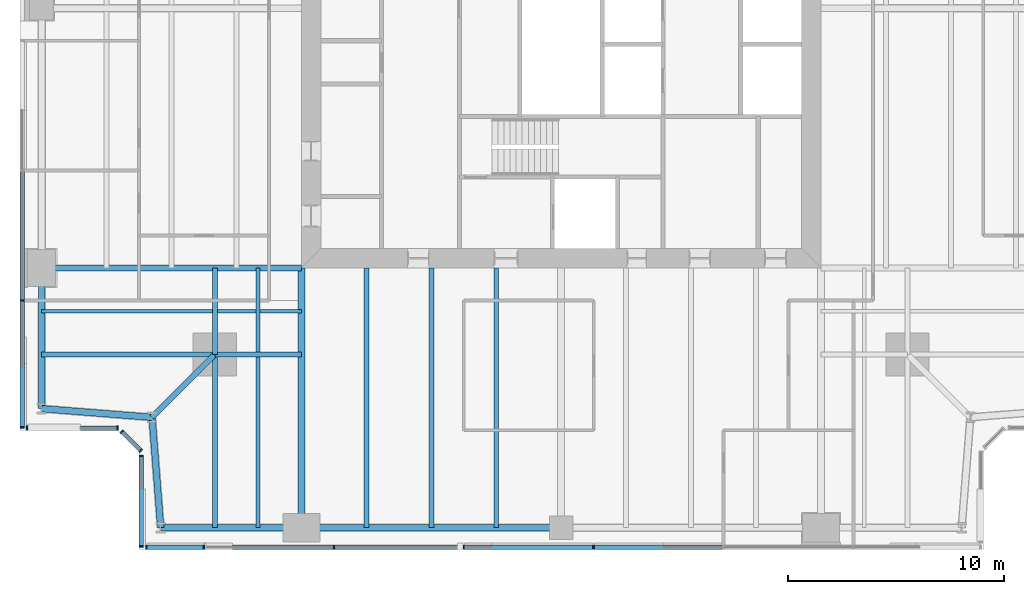
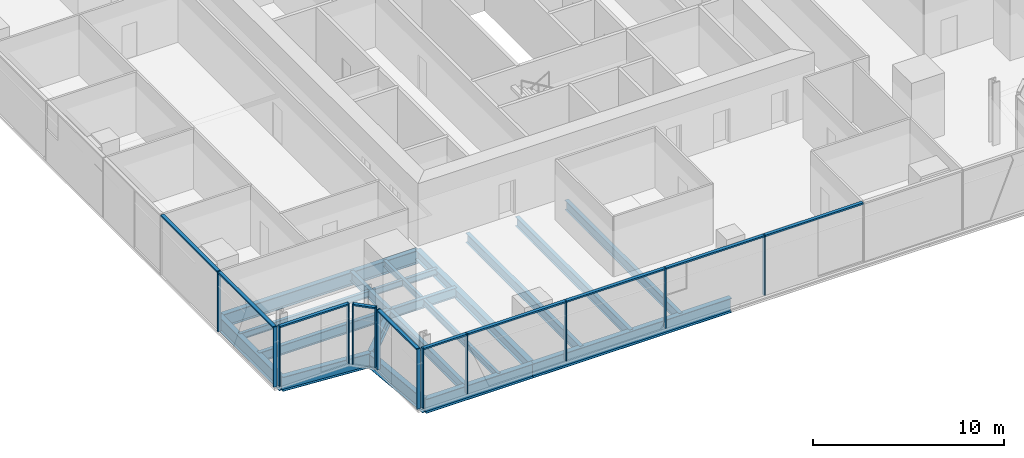
# One storey, part 2 of 16: 23 members, 20 beams, 5 elements without a shape of their own.
"""IFC4 building model written with IfcOpenShell, lengths in metres."""

from ifc_helpers import new_model, si_unit, direction, frame, origin, origin_2d, place, context, subcontext, project, spatial, rectangle, i_section, extrude, material, material_profile, profile_set, type_object, element, aggregate, save


model = new_model("IFC4")

# Units and contexts
model_context = context("Model", 3, precision=1e-05, world=origin(), true_north=direction((0.0, 1.0)))
body_context = subcontext(model_context, "Body", "Model", "MODEL_VIEW")
ifc_project = project(units=[si_unit("LENGTHUNIT", "METRE"), si_unit("AREAUNIT", "SQUARE_METRE"), si_unit("VOLUMEUNIT", "CUBIC_METRE"), si_unit("PLANEANGLEUNIT", "RADIAN"), si_unit("MASSUNIT", "GRAM", prefix="KILO")], contexts=[model_context])

# Site, building, storey
site_placement = place(None, origin())
site = spatial("IfcSite", under=ifc_project, at=site_placement, CompositionType="ELEMENT")
building_placement = place(site_placement, origin())
building = spatial("IfcBuilding", under=site, at=building_placement, Name="Fenwick Lantern Interchange", CompositionType="ELEMENT")
storey_placement = place(building_placement, frame((0.0, 0.0, 213.800048828125)))
storey = spatial("IfcBuildingStorey", under=building, at=storey_placement, Name="L50", CompositionType="ELEMENT", Elevation=213.800048828125)

# Beams
ifc_material_1 = material(Name="Steel ASTM A992 Grade 50", Category="steel")
ifc_material_profile_1 = material_profile(ifc_material_1, i_section(OverallWidth=0.3046875, OverallDepth=0.911865234375, WebThickness=0.015869140625, FlangeThickness=0.02392578125, at=origin_2d()), Name="W36X150")
ifc_profile_set_1 = profile_set([ifc_material_profile_1], Name="Steel ASTM A992 Grade 50")
beam_type_1 = type_object("IfcBeamType", Name="EDGE BEAM W36X150", PredefinedType="SPANDREL", material=ifc_profile_set_1)
beam_1_placement = place(storey_placement, frame((6.5, 1.0, -0.60595703125), z_axis=(1.0, 0.0, 0.0), x_axis=(0.0, 1.0, 0.0)))
element("IfcBeam", 1, at=beam_1_placement, inside=storey, type_object=beam_type_1, Name="L50/FR/S/EB1", PredefinedType="SPANDREL", context=body_context, shape_type="SweptSolid", body=[
    extrude(i_section(OverallWidth=0.3046875, OverallDepth=0.911865234375, WebThickness=0.015869140625, FlangeThickness=0.02392578125, at=origin_2d()), origin(), (0.0, 0.0, 1.0), 6.5),
])
beam_2_placement = place(storey_placement, frame((13.0, 1.0, -0.60595703125), z_axis=(1.0, 0.0, 0.0), x_axis=(0.0, 1.0, 0.0)))
element("IfcBeam", 2, at=beam_2_placement, inside=storey, type_object=beam_type_1, Name="L50/FR/S/EB2", PredefinedType="SPANDREL", context=body_context, shape_type="SweptSolid", body=[
    extrude(i_section(OverallWidth=0.3046875, OverallDepth=0.911865234375, WebThickness=0.015869140625, FlangeThickness=0.02392578125, at=origin_2d()), origin(), (0.0, 0.0, 1.0), 12.0),
])
beam_3_placement = place(storey_placement, frame((1.0, 13.0, -0.60595703125), z_axis=(0.0, -1.0, 0.0), x_axis=(1.0, 0.0, 0.0)))
element("IfcBeam", 3, at=beam_3_placement, inside=storey, type_object=beam_type_1, Name="L50/FR/W/EB4", PredefinedType="SPANDREL", context=body_context, shape_type="SweptSolid", body=[
    extrude(i_section(OverallWidth=0.3046875, OverallDepth=0.911865234375, WebThickness=0.015869140625, FlangeThickness=0.02392578125, at=origin_2d()), origin(), (0.0, 0.0, 1.0), 6.5),
])
for number, where, z_axis, x_axis, name in (
    (4, (1.0, 6.5, -0.60595703125), (0.99693998236, -0.078170784639, 0.0), (0.078170784639, 0.99693998236, 0.0), "L50/FR/W/EBR1"),
    (5, (6.10009765625, 6.10009765625, -0.60595703125), (0.078170784639, -0.99693998236, 0.0), (0.99693998236, 0.078170784639, 0.0), "L50/FR/W/EBR2"),
):
    element("IfcBeam", number, at=place(storey_placement, frame(where, z_axis=z_axis, x_axis=x_axis)), inside=storey, type_object=beam_type_1, Name=name, PredefinedType="SPANDREL", context=body_context, shape_type="SweptSolid", body=[
        extrude(i_section(OverallWidth=0.3046875, OverallDepth=0.911865234375, WebThickness=0.015869140625, FlangeThickness=0.02392578125, at=origin_2d()), origin(), (0.0, 0.0, 1.0), 5.11572265625),
    ])
ifc_material_profile_2 = material_profile(ifc_material_1, i_section(OverallWidth=0.22900390625, OverallDepth=0.612060546875, WebThickness=0.011962890625, FlangeThickness=0.01953125, at=origin_2d()), Name="W24X84")
ifc_profile_set_2 = profile_set([ifc_material_profile_2], Name="Steel ASTM A992 Grade 50")
beam_type_2 = type_object("IfcBeamType", Name="FLOOR BEAM W24X84", PredefinedType="BEAM", material=ifc_profile_set_2)
for number, where, z_axis, x_axis, name in (
    (6, (16.0, 1.0, -0.4560546875), (0.0, 1.0, 0.0), (-1.0, 0.0, 0.0), "L50/FR/S/R02"),
    (7, (19.0, 1.0, -0.4560546875), (0.0, 1.0, 0.0), (-1.0, 0.0, 0.0), "L50/FR/S/R03"),
    (8, (22.0, 1.0, -0.4560546875), (0.0, 1.0, 0.0), (-1.0, 0.0, 0.0), "L50/FR/S/R04"),
):
    element("IfcBeam", number, at=place(storey_placement, frame(where, z_axis=z_axis, x_axis=x_axis)), inside=storey, type_object=beam_type_2, Name=name, PredefinedType="BEAM", context=body_context, shape_type="SweptSolid", body=[
        extrude(i_section(OverallWidth=0.22900390625, OverallDepth=0.612060546875, WebThickness=0.011962890625, FlangeThickness=0.01953125, at=origin_2d()), origin(), (0.0, 0.0, 1.0), 12.0),
    ])
ifc_material_profile_3 = material_profile(ifc_material_1, i_section(OverallWidth=0.177734375, OverallDepth=0.406494140625, WebThickness=0.0078125, FlangeThickness=0.012939453125, at=origin_2d()), Name="W16X40")
ifc_profile_set_3 = profile_set([ifc_material_profile_3], Name="Steel ASTM A992 Grade 50")
beam_type_3 = type_object("IfcBeamType", Name="INFILL BEAM W16X40", PredefinedType="JOIST", material=ifc_profile_set_3)
beam_4_placement = place(storey_placement, frame((11.0, 1.0, -0.353271484375), z_axis=(0.0, 1.0, 0.0), x_axis=(-1.0, 0.0, 0.0)))
element("IfcBeam", 9, at=beam_4_placement, inside=storey, type_object=beam_type_3, Name="L50/FR/S/J1", PredefinedType="JOIST", context=body_context, shape_type="SweptSolid", body=[
    extrude(i_section(OverallWidth=0.177734375, OverallDepth=0.406494140625, WebThickness=0.0078125, FlangeThickness=0.012939453125, at=origin_2d()), origin(), (0.0, 0.0, 1.0), 7.885498046875),
])
beam_5_placement = place(storey_placement, frame((11.0, 9.114501953125, -0.353271484375), z_axis=(0.0, 1.0, 0.0), x_axis=(-1.0, 0.0, 0.0)))
element("IfcBeam", 10, at=beam_5_placement, inside=storey, type_object=beam_type_3, Name="L50/FR/S/J2", PredefinedType="JOIST", context=body_context, shape_type="SweptSolid", body=[
    extrude(i_section(OverallWidth=0.177734375, OverallDepth=0.406494140625, WebThickness=0.0078125, FlangeThickness=0.012939453125, at=origin_2d()), origin(), (0.0, 0.0, 1.0), 3.885498046875),
])
beam_6_placement = place(storey_placement, frame((1.0, 11.0, -0.353271484375), z_axis=(1.0, 0.0, 0.0), x_axis=(0.0, 1.0, 0.0)))
element("IfcBeam", 11, at=beam_6_placement, inside=storey, type_object=beam_type_3, Name="L50/FR/S/J3", PredefinedType="JOIST", context=body_context, shape_type="SweptSolid", body=[
    extrude(i_section(OverallWidth=0.177734375, OverallDepth=0.406494140625, WebThickness=0.0078125, FlangeThickness=0.012939453125, at=origin_2d()), origin(), (0.0, 0.0, 1.0), 7.885498046875),
])
beam_7_placement = place(storey_placement, frame((9.114501953125, 11.0, -0.353271484375), z_axis=(1.0, 0.0, 0.0), x_axis=(0.0, 1.0, 0.0)))
element("IfcBeam", 12, at=beam_7_placement, inside=storey, type_object=beam_type_3, Name="L50/FR/S/J4", PredefinedType="JOIST", context=body_context, shape_type="SweptSolid", body=[
    extrude(i_section(OverallWidth=0.177734375, OverallDepth=0.406494140625, WebThickness=0.0078125, FlangeThickness=0.012939453125, at=origin_2d()), origin(), (0.0, 0.0, 1.0), 1.796630859375),
])
beam_8_placement = place(storey_placement, frame((11.0888671875, 11.0, -0.353271484375), z_axis=(1.0, 0.0, 0.0), x_axis=(0.0, 1.0, 0.0)))
element("IfcBeam", 13, at=beam_8_placement, inside=storey, type_object=beam_type_3, Name="L50/FR/S/J5", PredefinedType="JOIST", context=body_context, shape_type="SweptSolid", body=[
    extrude(i_section(OverallWidth=0.177734375, OverallDepth=0.406494140625, WebThickness=0.0078125, FlangeThickness=0.012939453125, at=origin_2d()), origin(), (0.0, 0.0, 1.0), 1.9111328125),
])
ifc_material_profile_4 = material_profile(ifc_material_1, i_section(OverallWidth=0.22900390625, OverallDepth=0.612060546875, WebThickness=0.011962890625, FlangeThickness=0.01953125, at=origin_2d()), Name="W24X84")
ifc_profile_set_4 = profile_set([ifc_material_profile_4], Name="Steel ASTM A992 Grade 50")
beam_type_4 = type_object("IfcBeamType", Name="MEGA COLUMN BEAM W24X84", PredefinedType="BEAM", material=ifc_profile_set_4)
for number, where, z_axis, x_axis, name in (
    (14, (9.0, 9.0, -0.4560546875), (0.0, -1.0, 0.0), (1.0, 0.0, 0.0), "L50/FR/S/MB1"),
    (15, (9.0, 9.0, -0.4560546875), (-1.0, 0.0, 0.0), (0.0, -1.0, 0.0), "L50/FR/S/MB2"),
):
    element("IfcBeam", number, at=place(storey_placement, frame(where, z_axis=z_axis, x_axis=x_axis)), inside=storey, type_object=beam_type_4, Name=name, PredefinedType="BEAM", context=body_context, shape_type="SweptSolid", body=[
        extrude(i_section(OverallWidth=0.22900390625, OverallDepth=0.612060546875, WebThickness=0.011962890625, FlangeThickness=0.01953125, at=origin_2d()), origin(), (0.0, 0.0, 1.0), 8.0),
    ])
for number, where, z_axis, x_axis, name in (
    (16, (9.0, 9.0, -0.4560546875), (1.0, 0.0, 0.0), (0.0, 1.0, 0.0), "L50/FR/S/MB3"),
    (17, (9.0, 9.0, -0.4560546875), (0.0, 1.0, 0.0), (-1.0, 0.0, 0.0), "L50/FR/S/MB4"),
):
    element("IfcBeam", number, at=place(storey_placement, frame(where, z_axis=z_axis, x_axis=x_axis)), inside=storey, type_object=beam_type_4, Name=name, PredefinedType="BEAM", context=body_context, shape_type="SweptSolid", body=[
        extrude(i_section(OverallWidth=0.22900390625, OverallDepth=0.612060546875, WebThickness=0.011962890625, FlangeThickness=0.01953125, at=origin_2d()), origin(), (0.0, 0.0, 1.0), 4.0),
    ])
ifc_material_profile_5 = material_profile(ifc_material_1, i_section(OverallWidth=0.32763671875, OverallDepth=0.622314453125, WebThickness=0.015380859375, FlangeThickness=0.0244140625, at=origin_2d()), Name="W24X131")
ifc_profile_set_5 = profile_set([ifc_material_profile_5], Name="Steel ASTM A992 Grade 50")
beam_type_5 = type_object("IfcBeamType", Name="MOMENT-CONNECTED GIRDER W24X131", PredefinedType="BEAM", material=ifc_profile_set_5)
beam_9_placement = place(storey_placement, frame((13.0, 1.0, -0.461181640625), z_axis=(0.0, 1.0, 0.0), x_axis=(-1.0, 0.0, 0.0)))
element("IfcBeam", 18, at=beam_9_placement, inside=storey, type_object=beam_type_5, Name="L50/FR/S/R01", PredefinedType="BEAM", context=body_context, shape_type="SweptSolid", body=[
    extrude(i_section(OverallWidth=0.32763671875, OverallDepth=0.622314453125, WebThickness=0.015380859375, FlangeThickness=0.0244140625, at=origin_2d()), origin(), (0.0, 0.0, 1.0), 12.0),
])
ifc_material_profile_6 = material_profile(ifc_material_1, i_section(OverallWidth=0.2919921875, OverallDepth=0.845703125, WebThickness=0.015380859375, FlangeThickness=0.0244140625, at=origin_2d()), Name="W33X141")
ifc_profile_set_6 = profile_set([ifc_material_profile_6], Name="Steel ASTM A992 Grade 50")
beam_type_6 = type_object("IfcBeamType", Name="MOMENT-CONNECTED GIRDER W33X141", PredefinedType="BEAM", material=ifc_profile_set_6)
beam_10_placement = place(storey_placement, frame((1.0, 13.0, -0.572998046875), z_axis=(1.0, 0.0, 0.0), x_axis=(0.0, 1.0, 0.0)))
element("IfcBeam", 19, at=beam_10_placement, inside=storey, type_object=beam_type_6, Name="L50/FR/W/R03", PredefinedType="BEAM", context=body_context, shape_type="SweptSolid", body=[
    extrude(i_section(OverallWidth=0.2919921875, OverallDepth=0.845703125, WebThickness=0.015380859375, FlangeThickness=0.0244140625, at=origin_2d()), origin(), (0.0, 0.0, 1.0), 12.0),
])
ifc_material_profile_7 = material_profile(ifc_material_1, i_section(OverallWidth=0.2666015625, OverallDepth=0.7568359375, WebThickness=0.013916015625, FlangeThickness=0.019287109375, at=origin_2d()), Name="W30X108")
ifc_profile_set_7 = profile_set([ifc_material_profile_7], Name="Steel ASTM A992 Grade 50")
beam_type_7 = type_object("IfcBeamType", Name="NOTCH BEAM W30X108", PredefinedType="BEAM", material=ifc_profile_set_7)
beam_11_placement = place(storey_placement, frame((9.0, 9.0, -0.528564453125), z_axis=(-0.707106781187, -0.707106781187, 0.0), x_axis=(0.707106781187, -0.707106781187, 0.0)))
element("IfcBeam", 20, at=beam_11_placement, inside=storey, type_object=beam_type_7, Name="L50/FR/S/TG", PredefinedType="BEAM", context=body_context, shape_type="SweptSolid", body=[
    extrude(i_section(OverallWidth=0.2666015625, OverallDepth=0.7568359375, WebThickness=0.013916015625, FlangeThickness=0.019287109375, at=origin_2d()), origin(), (0.0, 0.0, 1.0), 4.10107421875),
])

# Curtain wall, members
ifc_material_2 = material(Name="Aluminium curtain wall frame", Category="aluminium")
curtain_wall_type = type_object("IfcCurtainWallType", Name="OFFICE CURTAIN WALL", PredefinedType="USERDEFINED", material=ifc_material_2)
curtain_wall_1_placement = place(storey_placement, origin())
curtain_wall_1 = element("IfcCurtainWall", 21, at=curtain_wall_1_placement, inside=storey, type_object=curtain_wall_type, Name="Office curtain wall 01", ObjectType="OFFICE CURTAIN WALL", PredefinedType="USERDEFINED")
ifc_material_3 = material(Name="Aluminium extrusion", Category="aluminium")
ifc_material_profile_8 = material_profile(ifc_material_3, rectangle(XDim=0.199951171875, YDim=0.06494140625, at=origin_2d()), Name="OFFICE CURTAIN WALL MULLION 65 X 200")
ifc_profile_set_8 = profile_set([ifc_material_profile_8], Name="Aluminium extrusion")
member_type_1 = type_object("IfcMemberType", Name="OFFICE CURTAIN WALL MULLION 65 X 200", PredefinedType="MULLION", material=ifc_profile_set_8)
member_1_placement = place(storey_placement, frame((5.83251953125, 0.10009765625, 0.0), z_axis=(0.0, 0.0, 1.0), x_axis=(0.0, 1.0, 0.0)))
member_1 = element("IfcMember", 22, at=member_1_placement, type_object=member_type_1, Name="L50/CW/01/M00", PredefinedType="MULLION", context=body_context, shape_type="SweptSolid", body=[
    extrude(rectangle(XDim=0.199951171875, YDim=0.06494140625, at=origin_2d()), origin(), (0.0, 0.0, 1.0), 3.849853515625),
])
member_2_placement = place(storey_placement, frame((8.5, 0.10009765625, 0.0), z_axis=(0.0, 0.0, 1.0), x_axis=(0.0, 1.0, 0.0)))
member_2 = element("IfcMember", 23, at=member_2_placement, type_object=member_type_1, Name="L50/CW/01/M01", PredefinedType="MULLION", context=body_context, shape_type="SweptSolid", body=[
    extrude(rectangle(XDim=0.199951171875, YDim=0.06494140625, at=origin_2d()), origin(), (0.0, 0.0, 1.0), 3.849853515625),
])
member_3_placement = place(storey_placement, frame((14.5, 0.10009765625, 0.0), z_axis=(0.0, 0.0, 1.0), x_axis=(0.0, 1.0, 0.0)))
member_3 = element("IfcMember", 24, at=member_3_placement, type_object=member_type_1, Name="L50/CW/01/M02", PredefinedType="MULLION", context=body_context, shape_type="SweptSolid", body=[
    extrude(rectangle(XDim=0.199951171875, YDim=0.06494140625, at=origin_2d()), origin(), (0.0, 0.0, 1.0), 3.849853515625),
])
member_4_placement = place(storey_placement, frame((20.5, 0.10009765625, 0.0), z_axis=(0.0, 0.0, 1.0), x_axis=(0.0, 1.0, 0.0)))
member_4 = element("IfcMember", 25, at=member_4_placement, type_object=member_type_1, Name="L50/CW/01/M03", PredefinedType="MULLION", context=body_context, shape_type="SweptSolid", body=[
    extrude(rectangle(XDim=0.199951171875, YDim=0.06494140625, at=origin_2d()), origin(), (0.0, 0.0, 1.0), 3.849853515625),
])
member_5_placement = place(storey_placement, frame((26.5, 0.10009765625, 0.0), z_axis=(0.0, 0.0, 1.0), x_axis=(0.0, 1.0, 0.0)))
member_5 = element("IfcMember", 26, at=member_5_placement, type_object=member_type_1, Name="L50/CW/01/M04", PredefinedType="MULLION", context=body_context, shape_type="SweptSolid", body=[
    extrude(rectangle(XDim=0.199951171875, YDim=0.06494140625, at=origin_2d()), origin(), (0.0, 0.0, 1.0), 3.849853515625),
])

curtain_wall_2_placement = place(storey_placement, origin())
curtain_wall_2 = element("IfcCurtainWall", 27, at=curtain_wall_2_placement, inside=storey, type_object=curtain_wall_type, Name="Office curtain wall 13", ObjectType="OFFICE CURTAIN WALL", PredefinedType="USERDEFINED")
member_6_placement = place(storey_placement, frame((0.10009765625, 11.5, 0.0), z_axis=(0.0, 0.0, 1.0), x_axis=(1.0, 0.0, 0.0)))
member_6 = element("IfcMember", 28, at=member_6_placement, type_object=member_type_1, Name="L50/CW/13/M06", PredefinedType="MULLION", context=body_context, shape_type="SweptSolid", body=[
    extrude(rectangle(XDim=0.199951171875, YDim=0.06494140625, at=origin_2d()), origin(), (0.0, 0.0, 1.0), 3.849853515625),
])
member_7_placement = place(storey_placement, frame((0.10009765625, 5.632568359375, 0.0), z_axis=(0.0, 0.0, 1.0), x_axis=(1.0, 0.0, 0.0)))
member_7 = element("IfcMember", 29, at=member_7_placement, type_object=member_type_1, Name="L50/CW/13/M07", PredefinedType="MULLION", context=body_context, shape_type="SweptSolid", body=[
    extrude(rectangle(XDim=0.199951171875, YDim=0.06494140625, at=origin_2d()), origin(), (0.0, 0.0, 1.0), 3.849853515625),
])

curtain_wall_3_placement = place(storey_placement, origin())
curtain_wall_3 = element("IfcCurtainWall", 30, at=curtain_wall_3_placement, inside=storey, type_object=curtain_wall_type, Name="Office curtain wall 14", ObjectType="OFFICE CURTAIN WALL", PredefinedType="USERDEFINED")
member_8_placement = place(storey_placement, frame((0.33251953125, 5.60009765625, 0.0), z_axis=(0.0, 0.0, 1.0), x_axis=(0.0, 1.0, 0.0)))
member_8 = element("IfcMember", 31, at=member_8_placement, type_object=member_type_1, Name="L50/CW/14/M00", PredefinedType="MULLION", context=body_context, shape_type="SweptSolid", body=[
    extrude(rectangle(XDim=0.199951171875, YDim=0.06494140625, at=origin_2d()), origin(), (0.0, 0.0, 1.0), 3.849853515625),
])
member_9_placement = place(storey_placement, frame((4.509033203125, 5.60009765625, 0.0), z_axis=(0.0, 0.0, 1.0), x_axis=(0.0, 1.0, 0.0)))
member_9 = element("IfcMember", 32, at=member_9_placement, type_object=member_type_1, Name="L50/CW/14/M01", PredefinedType="MULLION", context=body_context, shape_type="SweptSolid", body=[
    extrude(rectangle(XDim=0.199951171875, YDim=0.06494140625, at=origin_2d()), origin(), (0.0, 0.0, 1.0), 3.849853515625),
])

curtain_wall_4_placement = place(storey_placement, origin())
curtain_wall_4 = element("IfcCurtainWall", 33, at=curtain_wall_4_placement, inside=storey, type_object=curtain_wall_type, Name="Office curtain wall 15", ObjectType="OFFICE CURTAIN WALL", PredefinedType="USERDEFINED")
member_10_placement = place(storey_placement, frame((4.705810546875, 5.435546875, 0.0), z_axis=(0.0, 0.0, 1.0), x_axis=(0.707106781187, 0.707106781187, 0.0)))
member_10 = element("IfcMember", 34, at=member_10_placement, type_object=member_type_1, Name="L50/CW/15/M00", PredefinedType="MULLION", context=body_context, shape_type="SweptSolid", body=[
    extrude(rectangle(XDim=0.199951171875, YDim=0.06494140625, at=origin_2d()), origin(), (0.0, 0.0, 1.0), 3.849853515625),
])
member_11_placement = place(storey_placement, frame((5.576904296875, 4.564453125, 0.0), z_axis=(0.0, 0.0, 1.0), x_axis=(0.707106781187, 0.707106781187, 0.0)))
member_11 = element("IfcMember", 35, at=member_11_placement, type_object=member_type_1, Name="L50/CW/15/M01", PredefinedType="MULLION", context=body_context, shape_type="SweptSolid", body=[
    extrude(rectangle(XDim=0.199951171875, YDim=0.06494140625, at=origin_2d()), origin(), (0.0, 0.0, 1.0), 3.849853515625),
])

curtain_wall_5_placement = place(storey_placement, origin())
curtain_wall_5 = element("IfcCurtainWall", 36, at=curtain_wall_5_placement, inside=storey, type_object=curtain_wall_type, Name="Office curtain wall 16", ObjectType="OFFICE CURTAIN WALL", PredefinedType="USERDEFINED")
member_12_placement = place(storey_placement, frame((5.60009765625, 4.308837890625, 0.0), z_axis=(0.0, 0.0, 1.0), x_axis=(1.0, 0.0, 0.0)))
member_12 = element("IfcMember", 37, at=member_12_placement, type_object=member_type_1, Name="L50/CW/16/M00", PredefinedType="MULLION", context=body_context, shape_type="SweptSolid", body=[
    extrude(rectangle(XDim=0.199951171875, YDim=0.06494140625, at=origin_2d()), origin(), (0.0, 0.0, 1.0), 3.849853515625),
])
member_13_placement = place(storey_placement, frame((5.60009765625, 0.132568359375, 0.0), z_axis=(0.0, 0.0, 1.0), x_axis=(1.0, 0.0, 0.0)))
member_13 = element("IfcMember", 38, at=member_13_placement, type_object=member_type_1, Name="L50/CW/16/M01", PredefinedType="MULLION", context=body_context, shape_type="SweptSolid", body=[
    extrude(rectangle(XDim=0.199951171875, YDim=0.06494140625, at=origin_2d()), origin(), (0.0, 0.0, 1.0), 3.849853515625),
])

# Member
ifc_material_profile_9 = material_profile(ifc_material_3, rectangle(XDim=0.199951171875, YDim=0.10009765625, at=origin_2d()), Name="OFFICE CURTAIN WALL TRANSOM 100 X 200")
ifc_profile_set_9 = profile_set([ifc_material_profile_9], Name="Aluminium extrusion")
member_type_2 = type_object("IfcMemberType", Name="OFFICE CURTAIN WALL TRANSOM 100 X 200", PredefinedType="MULLION", material=ifc_profile_set_9)
member_14_placement = place(storey_placement, frame((5.864990234375, 0.10009765625, 3.800048828125), z_axis=(1.0, 0.0, 0.0), x_axis=(0.0, 1.0, 0.0)))
member_14 = element("IfcMember", 39, at=member_14_placement, type_object=member_type_2, Name="L50/CW/01/T00", PredefinedType="MULLION", context=body_context, shape_type="SweptSolid", body=[
    extrude(rectangle(XDim=0.199951171875, YDim=0.10009765625, at=origin_2d()), origin(), (0.0, 0.0, 1.0), 2.6025390625),
])

member_15_placement = place(storey_placement, frame((8.532470703125, 0.10009765625, 3.800048828125), z_axis=(1.0, 0.0, 0.0), x_axis=(0.0, 1.0, 0.0)))
member_15 = element("IfcMember", 40, at=member_15_placement, type_object=member_type_2, Name="L50/CW/01/T01", PredefinedType="MULLION", context=body_context, shape_type="SweptSolid", body=[
    extrude(rectangle(XDim=0.199951171875, YDim=0.10009765625, at=origin_2d()), origin(), (0.0, 0.0, 1.0), 5.93505859375),
])

member_16_placement = place(storey_placement, frame((14.532470703125, 0.10009765625, 3.800048828125), z_axis=(1.0, 0.0, 0.0), x_axis=(0.0, 1.0, 0.0)))
member_16 = element("IfcMember", 41, at=member_16_placement, type_object=member_type_2, Name="L50/CW/01/T02", PredefinedType="MULLION", context=body_context, shape_type="SweptSolid", body=[
    extrude(rectangle(XDim=0.199951171875, YDim=0.10009765625, at=origin_2d()), origin(), (0.0, 0.0, 1.0), 5.93505859375),
])

member_17_placement = place(storey_placement, frame((20.532470703125, 0.10009765625, 3.800048828125), z_axis=(1.0, 0.0, 0.0), x_axis=(0.0, 1.0, 0.0)))
member_17 = element("IfcMember", 42, at=member_17_placement, type_object=member_type_2, Name="L50/CW/01/T03", PredefinedType="MULLION", context=body_context, shape_type="SweptSolid", body=[
    extrude(rectangle(XDim=0.199951171875, YDim=0.10009765625, at=origin_2d()), origin(), (0.0, 0.0, 1.0), 5.93505859375),
])

member_18_placement = place(storey_placement, frame((26.532470703125, 0.10009765625, 3.800048828125), z_axis=(1.0, 0.0, 0.0), x_axis=(0.0, 1.0, 0.0)))
member_18 = element("IfcMember", 43, at=member_18_placement, type_object=member_type_2, Name="L50/CW/01/T04", PredefinedType="MULLION", context=body_context, shape_type="SweptSolid", body=[
    extrude(rectangle(XDim=0.199951171875, YDim=0.10009765625, at=origin_2d()), origin(), (0.0, 0.0, 1.0), 5.93505859375),
])

aggregate(curtain_wall_1, [member_1, member_2, member_3, member_4, member_5, member_14, member_15, member_16, member_17, member_18])

member_19_placement = place(storey_placement, frame((0.10009765625, 17.467529296875, 3.800048828125), z_axis=(0.0, -1.0, 0.0), x_axis=(1.0, 0.0, 0.0)))
member_19 = element("IfcMember", 44, at=member_19_placement, type_object=member_type_2, Name="L50/CW/13/T05", PredefinedType="MULLION", context=body_context, shape_type="SweptSolid", body=[
    extrude(rectangle(XDim=0.199951171875, YDim=0.10009765625, at=origin_2d()), origin(), (0.0, 0.0, 1.0), 5.93505859375),
])

member_20_placement = place(storey_placement, frame((0.10009765625, 11.467529296875, 3.800048828125), z_axis=(0.0, -1.0, 0.0), x_axis=(1.0, 0.0, 0.0)))
member_20 = element("IfcMember", 45, at=member_20_placement, type_object=member_type_2, Name="L50/CW/13/T06", PredefinedType="MULLION", context=body_context, shape_type="SweptSolid", body=[
    extrude(rectangle(XDim=0.199951171875, YDim=0.10009765625, at=origin_2d()), origin(), (0.0, 0.0, 1.0), 5.802490234375),
])

aggregate(curtain_wall_2, [member_6, member_7, member_19, member_20])

member_21_placement = place(storey_placement, frame((0.364990234375, 5.60009765625, 3.800048828125), z_axis=(1.0, 0.0, 0.0), x_axis=(0.0, 1.0, 0.0)))
member_21 = element("IfcMember", 46, at=member_21_placement, type_object=member_type_2, Name="L50/CW/14/T00", PredefinedType="MULLION", context=body_context, shape_type="SweptSolid", body=[
    extrude(rectangle(XDim=0.199951171875, YDim=0.10009765625, at=origin_2d()), origin(), (0.0, 0.0, 1.0), 4.111328125),
])

aggregate(curtain_wall_3, [member_8, member_9, member_21])

member_22_placement = place(storey_placement, frame((4.728759765625, 5.41259765625, 3.800048828125), z_axis=(0.707106781187, -0.707106781187, 0.0), x_axis=(0.707106781187, 0.707106781187, 0.0)))
member_22 = element("IfcMember", 47, at=member_22_placement, type_object=member_type_2, Name="L50/CW/15/T00", PredefinedType="MULLION", context=body_context, shape_type="SweptSolid", body=[
    extrude(rectangle(XDim=0.199951171875, YDim=0.10009765625, at=origin_2d()), origin(), (0.0, 0.0, 1.0), 1.1669921875),
])

aggregate(curtain_wall_4, [member_10, member_11, member_22])

member_23_placement = place(storey_placement, frame((5.60009765625, 4.2763671875, 3.800048828125), z_axis=(0.0, -1.0, 0.0), x_axis=(1.0, 0.0, 0.0)))
member_23 = element("IfcMember", 48, at=member_23_placement, type_object=member_type_2, Name="L50/CW/16/T00", PredefinedType="MULLION", context=body_context, shape_type="SweptSolid", body=[
    extrude(rectangle(XDim=0.199951171875, YDim=0.10009765625, at=origin_2d()), origin(), (0.0, 0.0, 1.0), 4.111328125),
])

aggregate(curtain_wall_5, [member_12, member_13, member_23])

save(model, "model.ifc")
